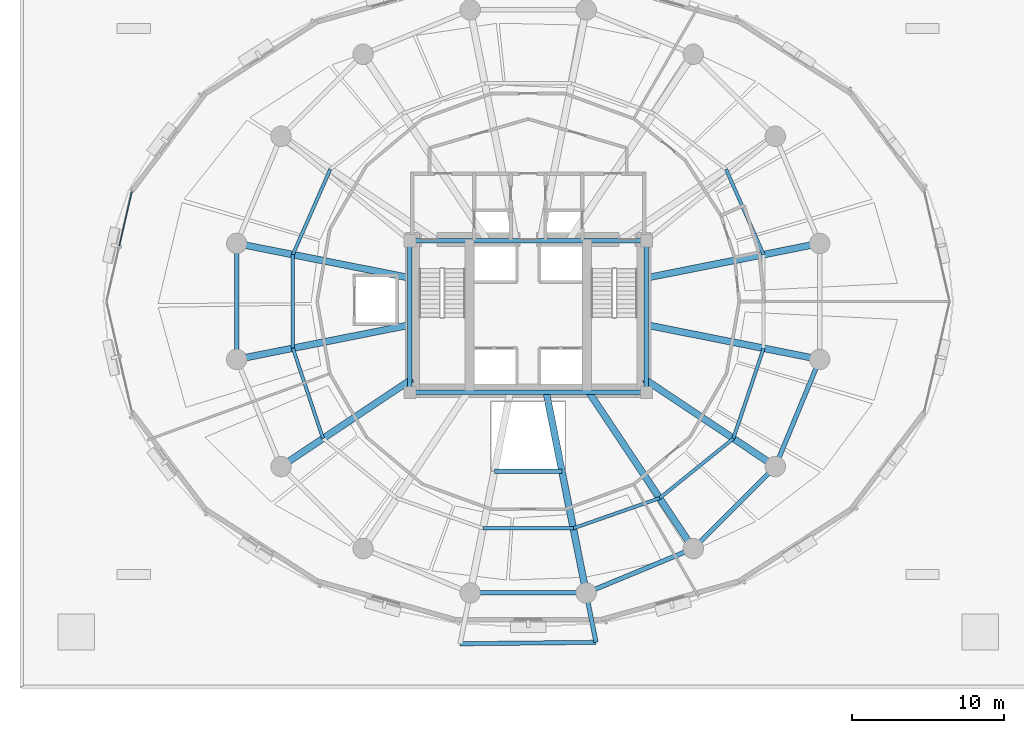
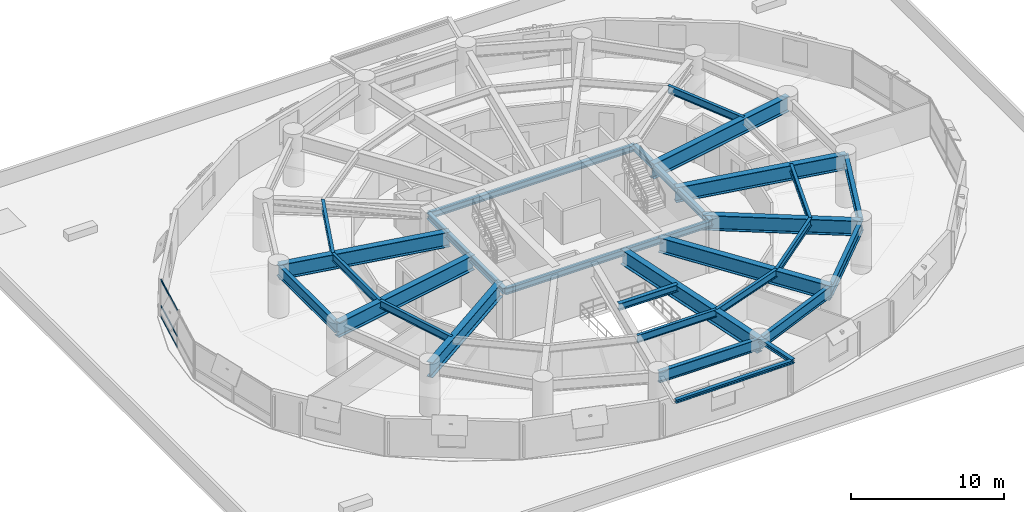
# One storey, part 3 of 15: 28 beams, 3 members, 1 element without a shape of its own.
"""IFC4 building model written with IfcOpenShell, lengths in metres."""

from ifc_helpers import new_model, si_unit, direction, frame, origin, origin_2d, place, context, subcontext, project, spatial, hollow_rectangle, i_section, extrude, material, layer, layer_set, material_profile, profile_set, type_object, element, aggregate, save


model = new_model("IFC4")

# Units and contexts
model_context = context("Model", 3, precision=1e-05, world=origin(), true_north=direction((0.0, 1.0)))
body_context = subcontext(model_context, "Body", "Model", "MODEL_VIEW")
ifc_project = project(units=[si_unit("LENGTHUNIT", "METRE"), si_unit("AREAUNIT", "SQUARE_METRE"), si_unit("VOLUMEUNIT", "CUBIC_METRE"), si_unit("PLANEANGLEUNIT", "RADIAN"), si_unit("MASSUNIT", "GRAM", prefix="KILO"), si_unit("THERMODYNAMICTEMPERATUREUNIT", "KELVIN"), si_unit("POWERUNIT", "WATT")], contexts=[model_context])

# Site, building, storey
site_placement = place(None, origin())
site = spatial("IfcSite", under=ifc_project, at=site_placement, CompositionType="ELEMENT")
building_placement = place(site_placement, origin())
building = spatial("IfcBuilding", under=site, at=building_placement, Name="Ocrelia Relay Tower", CompositionType="ELEMENT")
storey_placement = place(building_placement, frame((0.0, 0.0, 30.0)))
storey = spatial("IfcBuildingStorey", under=building, at=storey_placement, Name="L06", CompositionType="ELEMENT", Elevation=30.0)

# Beams
ifc_material_1 = material(Name="Steel S355", Category="steel")
ifc_material_profile_1 = material_profile(ifc_material_1, i_section(OverallWidth=0.280029296875, OverallDepth=0.27001953125, WebThickness=0.008056640625, FlangeThickness=0.012939453125, FilletRadius=0.02392578125, at=origin_2d()), Name="HEA 280")
ifc_profile_set_1 = profile_set([ifc_material_profile_1], Name="Steel S355")
beam_type_1 = type_object("IfcBeamType", Name="BM-HEA280", PredefinedType="BEAM", material=ifc_profile_set_1)
beam_1_placement = place(storey_placement, frame((29.509521484375, 3.42529296875, 3.784912109375), z_axis=(0.999940925073, 0.010869515314, 0.0), x_axis=(-0.010869515314, 0.999940925073, 0.0)))
element("IfcBeam", 1, at=beam_1_placement, inside=storey, type_object=beam_type_1, Name="L07 Balcony Edge Trimmer Beam B2", PredefinedType="BEAM", context=body_context, shape_type="SweptSolid", body=[
    extrude(i_section(OverallWidth=0.280029296875, OverallDepth=0.27001953125, WebThickness=0.008056640625, FlangeThickness=0.012939453125, FilletRadius=0.02392578125, at=origin_2d()), origin(), (0.0, 0.0, 1.0), 8.9619140625),
])
ifc_material_profile_2 = material_profile(ifc_material_1, i_section(OverallWidth=0.300048828125, OverallDepth=0.330078125, WebThickness=0.009521484375, FlangeThickness=0.0166015625, FilletRadius=0.027099609375, at=origin_2d()), Name="HEA 340")
ifc_profile_set_2 = profile_set([ifc_material_profile_2], Name="Steel S355")
beam_type_2 = type_object("IfcBeamType", Name="BM-HEA340", PredefinedType="BEAM", material=ifc_profile_set_2)
beam_2_placement = place(storey_placement, frame((37.82373046875, 6.776611328125, 3.7548828125), z_axis=(0.195082957799, -0.980786745208, 0.0), x_axis=(0.980786745208, 0.195082957799, 0.0)))
element("IfcBeam", 2, at=beam_2_placement, inside=storey, type_object=beam_type_2, Name="L07 Balcony Cantilever Beam B2-2", PredefinedType="BEAM", context=body_context, shape_type="SweptSolid", body=[
    extrude(i_section(OverallWidth=0.300048828125, OverallDepth=0.330078125, WebThickness=0.009521484375, FlangeThickness=0.0166015625, FilletRadius=0.027099609375, at=origin_2d()), origin(), (0.0, 0.0, 1.0), 3.317626953125),
])
ifc_material_profile_3 = material_profile(ifc_material_1, i_section(OverallWidth=0.300048828125, OverallDepth=0.5, WebThickness=0.014404296875, FlangeThickness=0.028076171875, FilletRadius=0.027099609375, at=origin_2d()), Name="HEB 500")
ifc_profile_set_3 = profile_set([ifc_material_profile_3], Name="Steel S355")
beam_type_3 = type_object("IfcBeamType", Name="BM-HEB500", PredefinedType="BEAM", material=ifc_profile_set_3)
for number, where, z_axis, x_axis, name in (
    (3, (26.199951171875, 20.0, 3.669921875), (1.0, 0.0, 0.0), (0.0, 1.0, 0.0), "L06 Core Pilaster Tie Beam S"),
    (4, (26.199951171875, 30.0, 3.669921875), (1.0, 0.0, 0.0), (0.0, 1.0, 0.0), "L06 Core Pilaster Tie Beam N"),
):
    element("IfcBeam", number, at=place(storey_placement, frame(where, z_axis=z_axis, x_axis=x_axis)), inside=storey, type_object=beam_type_3, Name=name, PredefinedType="BEAM", context=body_context, shape_type="SweptSolid", body=[
        extrude(i_section(OverallWidth=0.300048828125, OverallDepth=0.5, WebThickness=0.014404296875, FlangeThickness=0.028076171875, FilletRadius=0.027099609375, at=origin_2d()), origin(), (0.0, 0.0, 1.0), 15.60009765625),
    ])
for number, where, z_axis, x_axis, name in (
    (5, (26.199951171875, 20.0, 3.669921875), (0.0, 1.0, 0.0), (-1.0, 0.0, 0.0), "L06 Core Pilaster Tie Beam W"),
    (6, (41.800048828125, 20.0, 3.669921875), (0.0, 1.0, 0.0), (-1.0, 0.0, 0.0), "L06 Core Pilaster Tie Beam E"),
):
    element("IfcBeam", number, at=place(storey_placement, frame(where, z_axis=z_axis, x_axis=x_axis)), inside=storey, type_object=beam_type_3, Name=name, PredefinedType="BEAM", context=body_context, shape_type="SweptSolid", body=[
        extrude(i_section(OverallWidth=0.300048828125, OverallDepth=0.5, WebThickness=0.014404296875, FlangeThickness=0.028076171875, FilletRadius=0.027099609375, at=origin_2d()), origin(), (0.0, 0.0, 1.0), 10.0),
    ])
ifc_material_profile_4 = material_profile(ifc_material_1, i_section(OverallWidth=0.300048828125, OverallDepth=0.550048828125, WebThickness=0.014892578125, FlangeThickness=0.029052734375, FilletRadius=0.027099609375, at=origin_2d()), Name="HEB 550")
ifc_profile_set_4 = profile_set([ifc_material_profile_4], Name="Steel S355")
beam_type_4 = type_object("IfcBeamType", Name="BM-HEB550", PredefinedType="BEAM", material=ifc_profile_set_4)
beam_3_placement = place(storey_placement, frame((31.772216796875, 14.800048828125, 3.64501953125), z_axis=(1.0, 0.0, 0.0), x_axis=(0.0, 1.0, 0.0)))
element("IfcBeam", 7, at=beam_3_placement, inside=storey, type_object=beam_type_4, Name="L06 Atrium South Trimmer Beam", PredefinedType="BEAM", context=body_context, shape_type="SweptSolid", body=[
    extrude(i_section(OverallWidth=0.300048828125, OverallDepth=0.550048828125, WebThickness=0.014892578125, FlangeThickness=0.029052734375, FilletRadius=0.027099609375, at=origin_2d()), origin(), (0.0, 0.0, 1.0), 4.45556640625),
])
ifc_material_profile_5 = material_profile(ifc_material_1, i_section(OverallWidth=0.300048828125, OverallDepth=0.89990234375, WebThickness=0.0185546875, FlangeThickness=0.034912109375, FilletRadius=0.030029296875, at=origin_2d()), Name="HEB 900")
ifc_profile_set_5 = profile_set([ifc_material_profile_5], Name="Steel S355")
beam_type_5 = type_object("IfcBeamType", Name="BM-HEB900", PredefinedType="BEAM", material=ifc_profile_set_5)
for number, where, z_axis, x_axis, name in (
    (8, (14.776611328125, 29.82373046875, 3.469970703125), (0.0, -1.0, 0.0), (1.0, 0.0, 0.0), "L06 Perimeter Spandrel Beam S08"),
    (9, (30.17626953125, 6.776611328125, 3.469970703125), (1.0, 0.0, 0.0), (0.0, 1.0, 0.0), "L06 Perimeter Spandrel Beam S12"),
    (10, (37.82373046875, 6.776611328125, 3.469970703125), (0.923883375589, 0.382674154222, 0.0), (-0.382674154222, 0.923883375589, 0.0), "L06 Perimeter Spandrel Beam S13"),
):
    element("IfcBeam", number, at=place(storey_placement, frame(where, z_axis=z_axis, x_axis=x_axis)), inside=storey, type_object=beam_type_5, Name=name, PredefinedType="BEAM", context=body_context, shape_type="SweptSolid", body=[
        extrude(i_section(OverallWidth=0.300048828125, OverallDepth=0.89990234375, WebThickness=0.0185546875, FlangeThickness=0.034912109375, FilletRadius=0.030029296875, at=origin_2d()), origin(), (0.0, 0.0, 1.0), 7.6474609375),
    ])
beam_4_placement = place(storey_placement, frame((44.88916015625, 9.703125, 3.469970703125), z_axis=(0.707106781187, 0.707106781187, 0.0), x_axis=(-0.707106781187, 0.707106781187, 0.0)))
element("IfcBeam", 11, at=beam_4_placement, inside=storey, type_object=beam_type_5, Name="L06 Perimeter Spandrel Beam S14", PredefinedType="BEAM", context=body_context, shape_type="SweptSolid", body=[
    extrude(i_section(OverallWidth=0.300048828125, OverallDepth=0.89990234375, WebThickness=0.0185546875, FlangeThickness=0.034912109375, FilletRadius=0.030029296875, at=origin_2d()), origin(), (0.0, 0.0, 1.0), 7.647705078125),
])
beam_5_placement = place(storey_placement, frame((50.296875, 15.11083984375, 3.469970703125), z_axis=(0.382674154222, 0.923883375589, 0.0), x_axis=(-0.923883375589, 0.382674154222, 0.0)))
element("IfcBeam", 12, at=beam_5_placement, inside=storey, type_object=beam_type_5, Name="L06 Perimeter Spandrel Beam S15", PredefinedType="BEAM", context=body_context, shape_type="SweptSolid", body=[
    extrude(i_section(OverallWidth=0.300048828125, OverallDepth=0.89990234375, WebThickness=0.0185546875, FlangeThickness=0.034912109375, FilletRadius=0.030029296875, at=origin_2d()), origin(), (0.0, 0.0, 1.0), 7.6474609375),
])
ifc_material_profile_6 = material_profile(ifc_material_1, i_section(OverallWidth=0.219970703125, OverallDepth=0.60009765625, WebThickness=0.011962890625, FlangeThickness=0.01904296875, FilletRadius=0.02392578125, at=origin_2d()), Name="IPE 600")
ifc_profile_set_6 = profile_set([ifc_material_profile_6], Name="Steel S355")
beam_type_6 = type_object("IfcBeamType", Name="BM-IPE600", PredefinedType="JOIST", material=ifc_profile_set_6)
beam_6_placement = place(storey_placement, frame((49.521484375, 29.08740234375, 3.6201171875), z_axis=(-0.402201104053, 0.915551348586, 0.0), x_axis=(-0.915551348586, -0.402201104053, 0.0)))
element("IfcBeam", 13, at=beam_6_placement, inside=storey, type_object=beam_type_6, Name="L06 Secondary Floor Joist J01", PredefinedType="JOIST", context=body_context, shape_type="SweptSolid", body=[
    extrude(i_section(OverallWidth=0.219970703125, OverallDepth=0.60009765625, WebThickness=0.011962890625, FlangeThickness=0.01904296875, FilletRadius=0.02392578125, at=origin_2d()), origin(), (0.0, 0.0, 1.0), 6.150146484375),
])
beam_7_placement = place(storey_placement, frame((20.9521484375, 34.71826171875, 3.6201171875), z_axis=(-0.401739185135, -0.915754130281, 0.0), x_axis=(0.915754130281, -0.401739185135, 0.0)))
element("IfcBeam", 14, at=beam_7_placement, inside=storey, type_object=beam_type_6, Name="L06 Secondary Floor Joist J07", PredefinedType="JOIST", context=body_context, shape_type="SweptSolid", body=[
    extrude(i_section(OverallWidth=0.219970703125, OverallDepth=0.60009765625, WebThickness=0.011962890625, FlangeThickness=0.01904296875, FilletRadius=0.02392578125, at=origin_2d()), origin(), (0.0, 0.0, 1.0), 6.1494140625),
])
beam_8_placement = place(storey_placement, frame((18.481689453125, 29.0869140625, 3.6201171875), z_axis=(0.0, -1.0, 0.0), x_axis=(1.0, 0.0, 0.0)))
element("IfcBeam", 15, at=beam_8_placement, inside=storey, type_object=beam_type_6, Name="L06 Secondary Floor Joist J08", PredefinedType="JOIST", context=body_context, shape_type="SweptSolid", body=[
    extrude(i_section(OverallWidth=0.219970703125, OverallDepth=0.60009765625, WebThickness=0.011962890625, FlangeThickness=0.01904296875, FilletRadius=0.02392578125, at=origin_2d()), origin(), (0.0, 0.0, 1.0), 6.173828125),
])
beam_9_placement = place(storey_placement, frame((18.481689453125, 22.9130859375, 3.6201171875), z_axis=(0.317067865999, -0.948402851298, 0.0), x_axis=(0.948402851298, 0.317067865999, 0.0)))
element("IfcBeam", 16, at=beam_9_placement, inside=storey, type_object=beam_type_6, Name="L06 Secondary Floor Joist J09", PredefinedType="JOIST", context=body_context, shape_type="SweptSolid", body=[
    extrude(i_section(OverallWidth=0.219970703125, OverallDepth=0.60009765625, WebThickness=0.011962890625, FlangeThickness=0.01904296875, FilletRadius=0.02392578125, at=origin_2d()), origin(), (0.0, 0.0, 1.0), 6.276123046875),
])
beam_10_placement = place(storey_placement, frame((31.02392578125, 11.03857421875, 3.6201171875), z_axis=(1.0, 0.0, 0.0), x_axis=(0.0, 1.0, 0.0)))
element("IfcBeam", 17, at=beam_10_placement, inside=storey, type_object=beam_type_6, Name="L06 Secondary Floor Joist J12", PredefinedType="JOIST", context=body_context, shape_type="SweptSolid", body=[
    extrude(i_section(OverallWidth=0.219970703125, OverallDepth=0.60009765625, WebThickness=0.011962890625, FlangeThickness=0.01904296875, FilletRadius=0.02392578125, at=origin_2d()), origin(), (0.0, 0.0, 1.0), 5.9521484375),
])
beam_11_placement = place(storey_placement, frame((36.97607421875, 11.03857421875, 3.6201171875), z_axis=(0.943957429675, 0.330067221882, 0.0), x_axis=(-0.330067221882, 0.943957429675, 0.0)))
element("IfcBeam", 18, at=beam_11_placement, inside=storey, type_object=beam_type_6, Name="L06 Secondary Floor Joist J13", PredefinedType="JOIST", context=body_context, shape_type="SweptSolid", body=[
    extrude(i_section(OverallWidth=0.219970703125, OverallDepth=0.60009765625, WebThickness=0.011962890625, FlangeThickness=0.01904296875, FilletRadius=0.02392578125, at=origin_2d()), origin(), (0.0, 0.0, 1.0), 6.029052734375),
])
beam_12_placement = place(storey_placement, frame((42.667236328125, 13.028564453125, 3.6201171875), z_axis=(0.777854562422, 0.628444333031, 0.0), x_axis=(-0.628444333031, 0.777854562422, 0.0)))
element("IfcBeam", 19, at=beam_12_placement, inside=storey, type_object=beam_type_6, Name="L06 Secondary Floor Joist J14", PredefinedType="JOIST", context=body_context, shape_type="SweptSolid", body=[
    extrude(i_section(OverallWidth=0.219970703125, OverallDepth=0.60009765625, WebThickness=0.011962890625, FlangeThickness=0.01904296875, FilletRadius=0.02392578125, at=origin_2d()), origin(), (0.0, 0.0, 1.0), 6.25341796875),
])
beam_13_placement = place(storey_placement, frame((47.531494140625, 16.95849609375, 3.6201171875), z_axis=(0.31698600471, 0.948430215049, 0.0), x_axis=(-0.948430215049, 0.31698600471, 0.0)))
element("IfcBeam", 20, at=beam_13_placement, inside=storey, type_object=beam_type_6, Name="L06 Secondary Floor Joist J15", PredefinedType="JOIST", context=body_context, shape_type="SweptSolid", body=[
    extrude(i_section(OverallWidth=0.219970703125, OverallDepth=0.60009765625, WebThickness=0.011962890625, FlangeThickness=0.01904296875, FilletRadius=0.02392578125, at=origin_2d()), origin(), (0.0, 0.0, 1.0), 6.27783203125),
])
ifc_material_profile_7 = material_profile(ifc_material_1, i_section(OverallWidth=0.449951171875, OverallDepth=1.199951171875, WebThickness=0.02392578125, FlangeThickness=0.035888671875, FilletRadius=0.02001953125, at=origin_2d()), Name="WPG 1200x450")
ifc_profile_set_7 = profile_set([ifc_material_profile_7], Name="Steel S355")
beam_type_7 = type_object("IfcBeamType", Name="BM-WPG1200", PredefinedType="T_BEAM", material=ifc_profile_set_7)
beam_14_placement = place(storey_placement, frame((53.223388671875, 29.82373046875, 3.320068359375), z_axis=(-0.980786324446, -0.195085073187, 0.0), x_axis=(0.195085073187, -0.980786324446, 0.0)))
element("IfcBeam", 21, at=beam_14_placement, inside=storey, type_object=beam_type_7, Name="L06 Radial Transfer Girder R01", PredefinedType="T_BEAM", context=body_context, shape_type="SweptSolid", body=[
    extrude(i_section(OverallWidth=0.449951171875, OverallDepth=1.199951171875, WebThickness=0.02392578125, FlangeThickness=0.035888671875, FilletRadius=0.02001953125, at=origin_2d()), origin(), (0.0, 0.0, 1.0), 11.794921875),
])
for number, where, z_axis, x_axis, name in (
    (22, (14.776611328125, 29.82373046875, 3.320068359375), (0.980786938484, -0.195081986098, 0.0), (0.195081986098, 0.980786938484, 0.0), "L06 Radial Transfer Girder R08"),
    (23, (14.776611328125, 22.17626953125, 3.320068359375), (0.980786938484, 0.195081986098, 0.0), (-0.195081986098, 0.980786938484, 0.0), "L06 Radial Transfer Girder R09"),
):
    element("IfcBeam", number, at=place(storey_placement, frame(where, z_axis=z_axis, x_axis=x_axis)), inside=storey, type_object=beam_type_7, Name=name, PredefinedType="T_BEAM", context=body_context, shape_type="SweptSolid", body=[
        extrude(i_section(OverallWidth=0.449951171875, OverallDepth=1.199951171875, WebThickness=0.02392578125, FlangeThickness=0.035888671875, FilletRadius=0.02001953125, at=origin_2d()), origin(), (0.0, 0.0, 1.0), 11.80517578125),
    ])
beam_15_placement = place(storey_placement, frame((17.703125, 15.11083984375, 3.320068359375), z_axis=(0.83146868639, 0.555571618743, 0.0), x_axis=(-0.555571618743, 0.83146868639, 0.0)))
element("IfcBeam", 24, at=beam_15_placement, inside=storey, type_object=beam_type_7, Name="L06 Radial Transfer Girder R10", PredefinedType="T_BEAM", context=body_context, shape_type="SweptSolid", body=[
    extrude(i_section(OverallWidth=0.449951171875, OverallDepth=1.199951171875, WebThickness=0.02392578125, FlangeThickness=0.035888671875, FilletRadius=0.02001953125, at=origin_2d()), origin(), (0.0, 0.0, 1.0), 10.405517578125),
])
beam_16_placement = place(storey_placement, frame((37.82373046875, 6.776611328125, 3.320068359375), z_axis=(-0.195089155229, 0.980785512491, 0.0), x_axis=(-0.980785512491, -0.195089155229, 0.0)))
element("IfcBeam", 25, at=beam_16_placement, inside=storey, type_object=beam_type_7, Name="L06 Radial Transfer Girder R13", PredefinedType="T_BEAM", context=body_context, shape_type="SweptSolid", body=[
    extrude(i_section(OverallWidth=0.449951171875, OverallDepth=1.199951171875, WebThickness=0.02392578125, FlangeThickness=0.035888671875, FilletRadius=0.02001953125, at=origin_2d()), origin(), (0.0, 0.0, 1.0), 13.579345703125),
])
beam_17_placement = place(storey_placement, frame((44.88916015625, 9.703125, 3.320068359375), z_axis=(-0.555569912646, 0.831469826369, 0.0), x_axis=(-0.831469826369, -0.555569912646, 0.0)))
element("IfcBeam", 26, at=beam_17_placement, inside=storey, type_object=beam_type_7, Name="L06 Radial Transfer Girder R14", PredefinedType="T_BEAM", context=body_context, shape_type="SweptSolid", body=[
    extrude(i_section(OverallWidth=0.449951171875, OverallDepth=1.199951171875, WebThickness=0.02392578125, FlangeThickness=0.035888671875, FilletRadius=0.02001953125, at=origin_2d()), origin(), (0.0, 0.0, 1.0), 12.498046875),
])
beam_18_placement = place(storey_placement, frame((50.296875, 15.11083984375, 3.320068359375), z_axis=(-0.831475246583, 0.555561800631, 0.0), x_axis=(-0.555561800631, -0.831475246583, 0.0)))
element("IfcBeam", 27, at=beam_18_placement, inside=storey, type_object=beam_type_7, Name="L06 Radial Transfer Girder R15", PredefinedType="T_BEAM", context=body_context, shape_type="SweptSolid", body=[
    extrude(i_section(OverallWidth=0.449951171875, OverallDepth=1.199951171875, WebThickness=0.02392578125, FlangeThickness=0.035888671875, FilletRadius=0.02001953125, at=origin_2d()), origin(), (0.0, 0.0, 1.0), 10.393310546875),
])
beam_19_placement = place(storey_placement, frame((53.223388671875, 22.17626953125, 3.320068359375), z_axis=(-0.980786324446, 0.195085073187, 0.0), x_axis=(-0.195085073187, -0.980786324446, 0.0)))
element("IfcBeam", 28, at=beam_19_placement, inside=storey, type_object=beam_type_7, Name="L06 Radial Transfer Girder R16", PredefinedType="T_BEAM", context=body_context, shape_type="SweptSolid", body=[
    extrude(i_section(OverallWidth=0.449951171875, OverallDepth=1.199951171875, WebThickness=0.02392578125, FlangeThickness=0.035888671875, FilletRadius=0.02001953125, at=origin_2d()), origin(), (0.0, 0.0, 1.0), 11.794921875),
])

# Curtain wall, members
ifc_material_2 = material(Name="Aluminium and solar-control low-E glass", Category="aluminium")
ifc_layer = layer(ifc_material_2, 0.179931640625, Name="Aluminium and solar-control low-E glass")
ifc_layer_set = layer_set([ifc_layer], Name="Aluminium and solar-control low-E glass")
curtain_wall_type = type_object("IfcCurtainWallType", Name="CW-SYS-Z1-DATA", PredefinedType="NOTDEFINED", material=ifc_layer_set)
curtain_wall_placement = place(storey_placement, origin())
curtain_wall = element("IfcCurtainWall", 29, at=curtain_wall_placement, inside=storey, type_object=curtain_wall_type, Name="L06 Elliptical Tower Curtain Wall Bay 09", PredefinedType="NOTDEFINED")
ifc_material_3 = material(Name="Anodised bronze aluminium", Category="aluminium")
ifc_material_profile_8 = material_profile(ifc_material_3, hollow_rectangle(XDim=0.06494140625, YDim=0.139892578125, WallThickness=0.0048828125, at=origin_2d()), Name="CW-TRN-140x65")
ifc_profile_set_8 = profile_set([ifc_material_profile_8], Name="Anodised bronze aluminium")
member_type = type_object("IfcMemberType", Name="CW-SYS-Z1-DATA-TRN", PredefinedType="USERDEFINED", material=ifc_profile_set_8)
member_1_placement = place(storey_placement, frame((7.86083984375, 33.216796875, 0.032470703125), z_axis=(-0.224260666596, -0.974529195775, 0.0), x_axis=(0.974529195775, -0.224260666596, 0.0)))
member_1 = element("IfcMember", 30, at=member_1_placement, type_object=member_type, Name="CW-Z1 transom 1.1", ObjectType="TRANSOM", PredefinedType="USERDEFINED", context=body_context, shape_type="SweptSolid", body=[
    extrude(hollow_rectangle(XDim=0.06494140625, YDim=0.139892578125, WallThickness=0.0048828125, at=origin_2d()), origin(), (0.0, 0.0, 1.0), 3.6328125),
])
member_2_placement = place(storey_placement, frame((7.86083984375, 33.216796875, 0.89990234375), z_axis=(-0.224260666596, -0.974529195775, 0.0), x_axis=(0.974529195775, -0.224260666596, 0.0)))
member_2 = element("IfcMember", 31, at=member_2_placement, type_object=member_type, Name="CW-Z1 transom 1.2", ObjectType="TRANSOM", PredefinedType="USERDEFINED", context=body_context, shape_type="SweptSolid", body=[
    extrude(hollow_rectangle(XDim=0.06494140625, YDim=0.139892578125, WallThickness=0.0048828125, at=origin_2d()), origin(), (0.0, 0.0, 1.0), 3.6328125),
])
member_3_placement = place(storey_placement, frame((7.86083984375, 33.216796875, 2.967529296875), z_axis=(-0.224260666596, -0.974529195775, 0.0), x_axis=(0.974529195775, -0.224260666596, 0.0)))
member_3 = element("IfcMember", 32, at=member_3_placement, type_object=member_type, Name="CW-Z1 transom 1.3", ObjectType="TRANSOM", PredefinedType="USERDEFINED", context=body_context, shape_type="SweptSolid", body=[
    extrude(hollow_rectangle(XDim=0.06494140625, YDim=0.139892578125, WallThickness=0.0048828125, at=origin_2d()), origin(), (0.0, 0.0, 1.0), 3.6328125),
])
aggregate(curtain_wall, [member_1, member_2, member_3])

save(model, "model.ifc")
